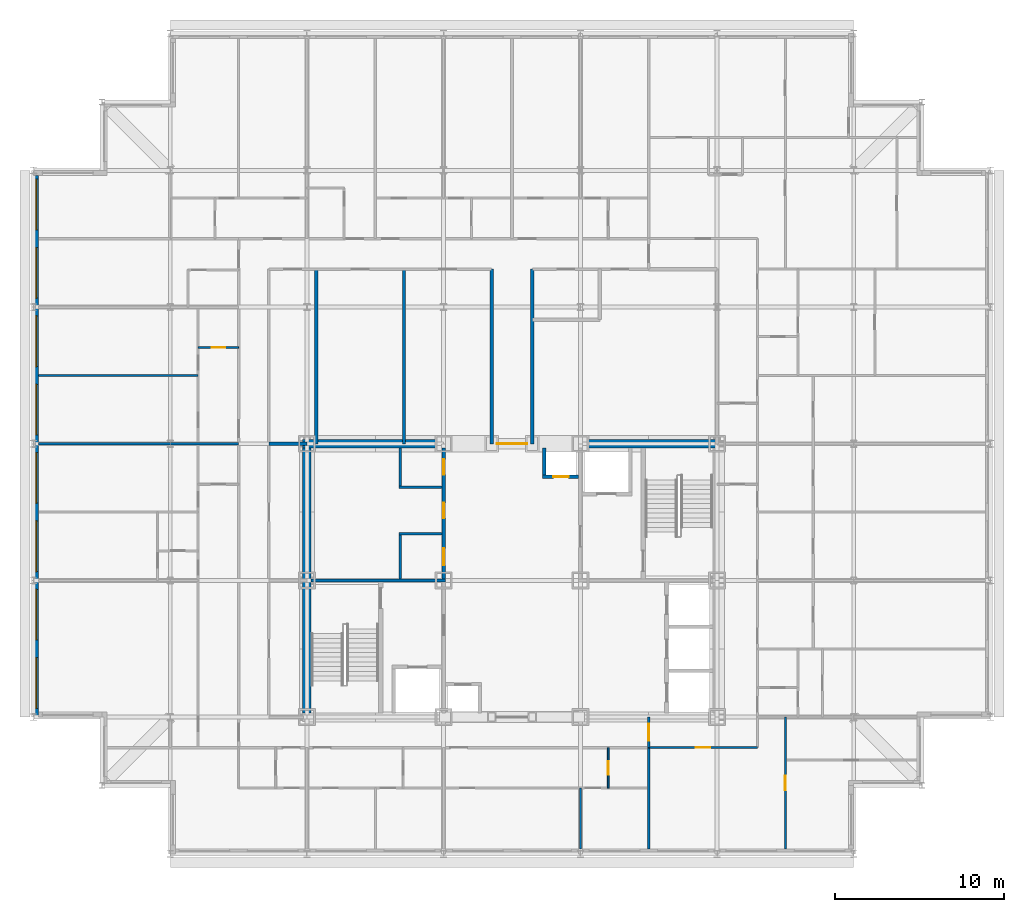
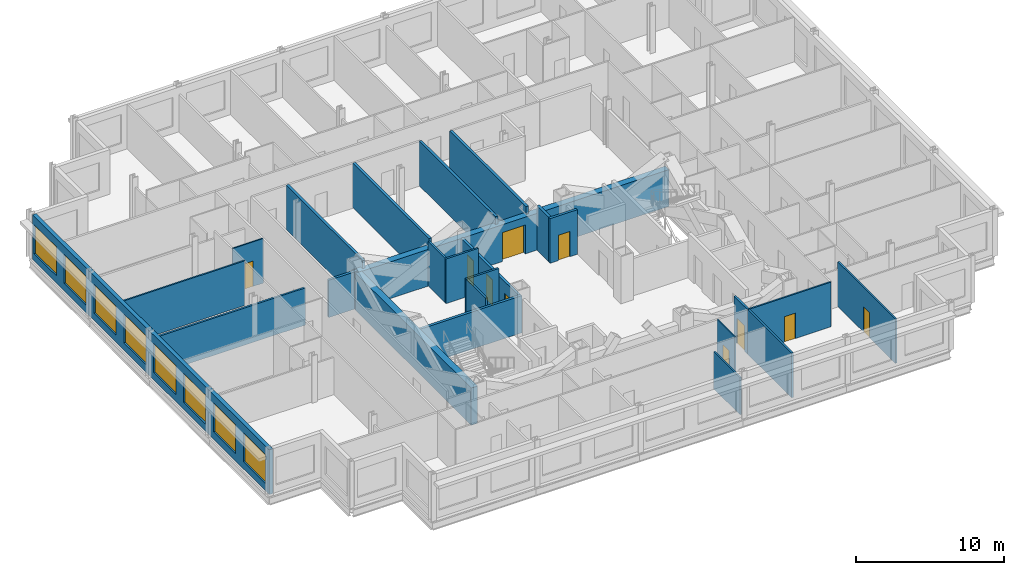
# One storey, part 9 of 15: 25 walls, 10 doors, 8 windows, 18 openings.
"""IFC4 building model written with IfcOpenShell, lengths in metres."""

from ifc_helpers import new_model, si_unit, direction, frame, frame_2d, origin, place, context, subcontext, project, spatial, rectangle, extrude, material, layer, layer_set, type_object, element, fill, save


model = new_model("IFC4")

# Units and contexts
model_context = context("Model", 3, precision=1e-05, world=origin(), true_north=direction((0.0, 1.0)))
body_context = subcontext(model_context, "Body", "Model", "MODEL_VIEW")
ifc_project = project(units=[si_unit("LENGTHUNIT", "METRE"), si_unit("AREAUNIT", "SQUARE_METRE"), si_unit("VOLUMEUNIT", "CUBIC_METRE"), si_unit("PLANEANGLEUNIT", "RADIAN"), si_unit("MASSUNIT", "GRAM", prefix="KILO")], contexts=[model_context])

# Site, building, storey
site_placement = place(None, origin())
site = spatial("IfcSite", under=ifc_project, at=site_placement, CompositionType="ELEMENT")
building_placement = place(site_placement, origin())
building = spatial("IfcBuilding", under=site, at=building_placement, Name="Kopane Lantern Tower", CompositionType="ELEMENT")
storey_placement = place(building_placement, frame((0.0, 0.0, 277.5)))
storey = spatial("IfcBuildingStorey", under=building, at=storey_placement, Name="L71", CompositionType="ELEMENT", Elevation=277.5)

# Walls
ifc_material_1 = material(Name="Gypsum board on steel studs", Category="steel")
ifc_layer_1 = layer(ifc_material_1, 0.1201171875)
ifc_layer_set_1 = layer_set([ifc_layer_1], Name="APARTMENT INTERNAL WALL 120")
wall_type_1 = type_object("IfcWallType", Name="APARTMENT INTERNAL WALL 120", PredefinedType="PARTITIONING", material=ifc_layer_set_1)
wall_1_placement = place(storey_placement, frame((32.39990234375, 20.10009765625, 0.0), z_axis=(0.0, 0.0, 1.0), x_axis=(0.0, -1.0, 0.0)))
element("IfcWall", 1, at=wall_1_placement, inside=storey, type_object=wall_type_1, Name="Apartment Internal Wall 120 L71", PredefinedType="PARTITIONING", context=body_context, shape_type="SweptSolid", body=[
    extrude(rectangle(XDim=3.60009765625, YDim=0.1201171875, at=frame_2d((1.800048828125, 0.0))), origin(), (0.0, 0.0, 1.0), 3.077880859375),
])
wall_2_placement = place(storey_placement, frame((9.75, 44.550048828125, 0.0), z_axis=(0.0, 0.0, 1.0), x_axis=(-1.0, 0.0, 0.0)))
element("IfcWall", 2, at=wall_2_placement, inside=storey, type_object=wall_type_1, Name="Apartment Internal Wall 120 L71", PredefinedType="PARTITIONING", context=body_context, shape_type="SweptSolid", body=[
    extrude(rectangle(XDim=9.449951171875, YDim=0.1201171875, at=frame_2d((4.72509765625, 0.0))), origin(), (0.0, 0.0, 1.0), 3.68994140625),
])

# Wall, opening, door
wall_3_placement = place(storey_placement, frame((36.449951171875, 22.5, 0.0), z_axis=(0.0, 0.0, 1.0), x_axis=(1.0, 0.0, 0.0)))
wall_3 = element("IfcWall", 3, at=wall_3_placement, inside=storey, type_object=wall_type_1, Name="Apartment Internal Wall 120 L71", PredefinedType="PARTITIONING", context=body_context, shape_type="SweptSolid", body=[
    extrude(rectangle(XDim=6.449951171875, YDim=0.1201171875, at=frame_2d((3.22509765625, 0.0))), origin(), (0.0, 0.0, 1.0), 3.68994140625),
])
opening_1_placement = place(wall_3_placement, frame((2.800048828125, 0.0, 0.0)))
opening_1 = element("IfcOpeningElement", 4, at=opening_1_placement, cuts=wall_3, Name="Opening L71-047", PredefinedType="OPENING", context=body_context, shape_type="SweptSolid", body=[
    extrude(rectangle(XDim=0.85009765625, YDim=2.10009765625, at=frame_2d((0.425048828125, 1.050048828125))), frame((0.0, 0.070068359375, 0.0), z_axis=(0.0, -1.0, 0.0), x_axis=(1.0, 0.0, 0.0)), (0.0, 0.0, 1.0), 0.14013671875),
])
ifc_material_2 = material(Name="Timber door set", Category="wood")
door_type_1 = type_object("IfcDoorType", Name="DOOR D4 850x2100", OperationType="SINGLE_SWING_LEFT", PredefinedType="DOOR", material=ifc_material_2)
door_1_placement = place(opening_1_placement, origin())
door_1 = element("IfcDoor", 5, at=door_1_placement, inside=storey, type_object=door_type_1, Name="Door L71-047", OperationType="SINGLE_SWING_RIGHT", OverallHeight=2.10009765625, OverallWidth=0.85009765625, PredefinedType="DOOR", context=body_context, shape_type="SweptSolid", body=[
    extrude(rectangle(XDim=0.85009765625, YDim=2.10009765625, at=frame_2d((0.425048828125, 1.050048828125))), frame((0.0, 0.02490234375, 0.0), z_axis=(0.0, -1.0, 0.0), x_axis=(1.0, 0.0, 0.0)), (0.0, 0.0, 1.0), 0.050048828125),
])
fill(opening_1, door_1)

wall_4_placement = place(storey_placement, frame((44.550048828125, 16.5, 0.0), z_axis=(0.0, 0.0, 1.0), x_axis=(0.0, 1.0, 0.0)))
wall_4 = element("IfcWall", 6, at=wall_4_placement, inside=storey, type_object=wall_type_1, Name="Apartment Internal Wall 120 L71", PredefinedType="PARTITIONING", context=body_context, shape_type="SweptSolid", body=[
    extrude(rectangle(XDim=7.800048828125, YDim=0.1201171875, at=frame_2d((3.89990234375, 0.0))), origin(), (0.0, 0.0, 1.0), 3.68994140625),
])
opening_2_placement = place(wall_4_placement, frame((3.47509765625, 0.0, 0.0)))
opening_2 = element("IfcOpeningElement", 7, at=opening_2_placement, cuts=wall_4, Name="Opening L71-048", PredefinedType="OPENING", context=body_context, shape_type="SweptSolid", body=[
    extrude(rectangle(XDim=0.85009765625, YDim=2.10009765625, at=frame_2d((0.425048828125, 1.050048828125))), frame((0.0, 0.070068359375, 0.0), z_axis=(0.0, -1.0, 0.0), x_axis=(1.0, 0.0, 0.0)), (0.0, 0.0, 1.0), 0.14013671875),
])
door_2_placement = place(opening_2_placement, origin())
door_2 = element("IfcDoor", 8, at=door_2_placement, inside=storey, type_object=door_type_1, Name="Door L71-048", OperationType="SINGLE_SWING_LEFT", OverallHeight=2.10009765625, OverallWidth=0.85009765625, PredefinedType="DOOR", context=body_context, shape_type="SweptSolid", body=[
    extrude(rectangle(XDim=0.85009765625, YDim=2.10009765625, at=frame_2d((0.425048828125, 1.050048828125))), frame((0.0, 0.02490234375, 0.0), z_axis=(0.0, -1.0, 0.0), x_axis=(1.0, 0.0, 0.0)), (0.0, 0.0, 1.0), 0.050048828125),
])
fill(opening_2, door_2)

ifc_material_3 = material(Name="Moisture-resistant board on steel studs", Category="steel")
ifc_layer_2 = layer(ifc_material_3, 0.10009765625)
ifc_layer_set_2 = layer_set([ifc_layer_2], Name="BATHROOM WALL 100")
wall_type_2 = type_object("IfcWallType", Name="BATHROOM WALL 100", PredefinedType="PARTITIONING", material=ifc_layer_set_2)
wall_5_placement = place(storey_placement, frame((34.050048828125, 22.5, 0.0), z_axis=(0.0, 0.0, 1.0), x_axis=(0.0, -1.0, 0.0)))
wall_5 = element("IfcWall", 9, at=wall_5_placement, inside=storey, type_object=wall_type_2, Name="Bathroom Wall 100 L71", PredefinedType="PARTITIONING", context=body_context, shape_type="SweptSolid", body=[
    extrude(rectangle(XDim=2.39990234375, YDim=0.10009765625, at=frame_2d((1.199951171875, 0.0))), origin(), (0.0, 0.0, 1.0), 3.68994140625),
])
opening_3_placement = place(wall_5_placement, frame((0.800048828125, 0.0, 0.0)))
opening_3 = element("IfcOpeningElement", 10, at=opening_3_placement, cuts=wall_5, Name="Opening L71-012", PredefinedType="OPENING", context=body_context, shape_type="SweptSolid", body=[
    extrude(rectangle(XDim=0.800048828125, YDim=2.10009765625, at=frame_2d((0.39990234375, 1.050048828125))), frame((0.0, 0.06005859375, 0.0), z_axis=(0.0, -1.0, 0.0), x_axis=(1.0, 0.0, 0.0)), (0.0, 0.0, 1.0), 0.1201171875),
])
ifc_material_4 = material(Name="Timber door set", Category="wood")
door_type_2 = type_object("IfcDoorType", Name="DOOR D2 800x2100", OperationType="SINGLE_SWING_LEFT", PredefinedType="DOOR", material=ifc_material_4)
door_3_placement = place(opening_3_placement, origin())
door_3 = element("IfcDoor", 11, at=door_3_placement, inside=storey, type_object=door_type_2, Name="Door L71-012", OperationType="SINGLE_SWING_LEFT", OverallHeight=2.10009765625, OverallWidth=0.800048828125, PredefinedType="DOOR", context=body_context, shape_type="SweptSolid", body=[
    extrude(rectangle(XDim=0.800048828125, YDim=2.10009765625, at=frame_2d((0.39990234375, 1.050048828125))), frame((0.0, 0.02490234375, 0.0), z_axis=(0.0, -1.0, 0.0), x_axis=(1.0, 0.0, 0.0)), (0.0, 0.0, 1.0), 0.050048828125),
])
fill(opening_3, door_3)

wall_6_placement = place(storey_placement, frame((12.14990234375, 46.199951171875, 0.0), z_axis=(0.0, 0.0, 1.0), x_axis=(-1.0, 0.0, 0.0)))
wall_6 = element("IfcWall", 12, at=wall_6_placement, inside=storey, type_object=wall_type_2, Name="Bathroom Wall 100 L71", PredefinedType="PARTITIONING", context=body_context, shape_type="SweptSolid", body=[
    extrude(rectangle(XDim=2.39990234375, YDim=0.10009765625, at=frame_2d((1.199951171875, 0.0))), origin(), (0.0, 0.0, 1.0), 3.68994140625),
])
opening_4_placement = place(wall_6_placement, frame((0.800048828125, 0.0, 0.0)))
opening_4 = element("IfcOpeningElement", 13, at=opening_4_placement, cuts=wall_6, Name="Opening L71-032", PredefinedType="OPENING", context=body_context, shape_type="SweptSolid", body=[
    extrude(rectangle(XDim=0.800048828125, YDim=2.10009765625, at=frame_2d((0.39990234375, 1.050048828125))), frame((0.0, 0.06005859375, 0.0), z_axis=(0.0, -1.0, 0.0), x_axis=(1.0, 0.0, 0.0)), (0.0, 0.0, 1.0), 0.1201171875),
])
door_4_placement = place(opening_4_placement, origin())
door_4 = element("IfcDoor", 14, at=door_4_placement, inside=storey, type_object=door_type_2, Name="Door L71-032", OperationType="SINGLE_SWING_RIGHT", OverallHeight=2.10009765625, OverallWidth=0.800048828125, PredefinedType="DOOR", context=body_context, shape_type="SweptSolid", body=[
    extrude(rectangle(XDim=0.800048828125, YDim=2.10009765625, at=frame_2d((0.39990234375, 1.050048828125))), frame((0.0, 0.02490234375, 0.0), z_axis=(0.0, -1.0, 0.0), x_axis=(1.0, 0.0, 0.0)), (0.0, 0.0, 1.0), 0.050048828125),
])
fill(opening_4, door_4)

ifc_material_5 = material(Name="Gypsum shaft wall EI 120", Category="gypsum")
ifc_layer_3 = layer(ifc_material_5, 0.5)
ifc_layer_set_3 = layer_set([ifc_layer_3], Name="CORE PERIMETER WALL 500 EI 120")
wall_type_3 = type_object("IfcWallType", Name="CORE PERIMETER WALL 500 EI 120", PredefinedType="SOLIDWALL", material=ifc_layer_set_3)
wall_7_placement = place(storey_placement, frame((15.949951171875, 40.5, 0.0), z_axis=(0.0, 0.0, 1.0), x_axis=(1.0, 0.0, 0.0)))
wall_7 = element("IfcWall", 15, at=wall_7_placement, inside=storey, type_object=wall_type_3, Name="Core shaft wall L71 PN", PredefinedType="SOLIDWALL", context=body_context, shape_type="SweptSolid", body=[
    extrude(rectangle(XDim=24.550048828125, YDim=0.5, at=frame_2d((12.27490234375, 0.0))), origin(), (0.0, 0.0, 1.0), 3.0400390625),
])
opening_5_placement = place(wall_7_placement, frame((11.5, 0.0, 0.0)))
opening_5 = element("IfcOpeningElement", 16, at=opening_5_placement, cuts=wall_7, Name="Opening 71.CE-N", PredefinedType="OPENING", context=body_context, shape_type="SweptSolid", body=[
    extrude(rectangle(XDim=1.800048828125, YDim=2.39990234375, at=frame_2d((0.89990234375, 1.199951171875))), frame((0.0, 0.260009765625, 0.0), z_axis=(0.0, -1.0, 0.0), x_axis=(1.0, 0.0, 0.0)), (0.0, 0.0, 1.0), 0.52001953125),
])
ifc_material_6 = material(Name="Steel door set", Category="steel")
door_type_3 = type_object("IfcDoorType", Name="CORE ENTRY DOOR 1800x2400 FD60S", OperationType="DOUBLE_DOOR_SINGLE_SWING", PredefinedType="DOOR", material=ifc_material_6)
door_5_placement = place(opening_5_placement, origin())
door_5 = element("IfcDoor", 17, at=door_5_placement, inside=storey, type_object=door_type_3, Name="Core entry door L71 north", OperationType="DOUBLE_DOOR_SINGLE_SWING", OverallHeight=2.39990234375, OverallWidth=1.800048828125, PredefinedType="DOOR", context=body_context, shape_type="SweptSolid", body=[
    extrude(rectangle(XDim=1.800048828125, YDim=2.39990234375, at=frame_2d((0.89990234375, 1.199951171875))), frame((0.0, 0.02490234375, 0.0), z_axis=(0.0, -1.0, 0.0), x_axis=(1.0, 0.0, 0.0)), (0.0, 0.0, 1.0), 0.050048828125),
])
fill(opening_5, door_5)

# Walls
wall_8_placement = place(storey_placement, frame((16.199951171875, 24.550048828125, 0.0), z_axis=(0.0, 0.0, 1.0), x_axis=(0.0, 1.0, 0.0)))
element("IfcWall", 18, at=wall_8_placement, inside=storey, type_object=wall_type_3, Name="Core shaft wall L71 PW", PredefinedType="SOLIDWALL", context=body_context, shape_type="SweptSolid", body=[
    extrude(rectangle(XDim=15.699951171875, YDim=0.5, at=frame_2d((7.85009765625, 0.0))), origin(), (0.0, 0.0, 1.0), 3.077880859375),
])
ifc_material_7 = material(Name="Gypsum partition EI 60", Category="gypsum")
ifc_layer_4 = layer(ifc_material_7, 0.14990234375)
ifc_layer_set_4 = layer_set([ifc_layer_4], Name="CORE ROOM PARTITION 150 EI 60")
wall_type_4 = type_object("IfcWallType", Name="CORE ROOM PARTITION 150 EI 60", PredefinedType="PARTITIONING", material=ifc_layer_set_4)
for number, where, z_axis, x_axis, name in (
    (19, (21.64990234375, 35.175048828125, 0.0), (0.0, 0.0, 1.0), (1.0, 0.0, 0.0), "Core room partition L71 WW1"),
    (20, (21.64990234375, 37.925048828125, 0.0), (0.0, 0.0, 1.0), (1.0, 0.0, 0.0), "Core room partition L71 WW2"),
):
    element("IfcWall", number, at=place(storey_placement, frame(where, z_axis=z_axis, x_axis=x_axis)), inside=storey, type_object=wall_type_4, Name=name, PredefinedType="PARTITIONING", context=body_context, shape_type="SweptSolid", body=[
        extrude(rectangle(XDim=2.550048828125, YDim=0.14990234375, at=frame_2d((1.27490234375, 0.0))), origin(), (0.0, 0.0, 1.0), 3.68994140625),
    ])
wall_9_placement = place(storey_placement, frame((21.72509765625, 32.5, 0.0), z_axis=(0.0, 0.0, 1.0), x_axis=(0.0, 1.0, 0.0)))
element("IfcWall", 21, at=wall_9_placement, inside=storey, type_object=wall_type_4, Name="Core room partition L71 WWB0", PredefinedType="PARTITIONING", context=body_context, shape_type="SweptSolid", body=[
    extrude(rectangle(XDim=2.60009765625, YDim=0.14990234375, at=frame_2d((1.300048828125, 0.0))), origin(), (0.0, 0.0, 1.0), 3.68994140625),
])
wall_10_placement = place(storey_placement, frame((21.72509765625, 38.0, 0.0), z_axis=(0.0, 0.0, 1.0), x_axis=(0.0, 1.0, 0.0)))
element("IfcWall", 22, at=wall_10_placement, inside=storey, type_object=wall_type_4, Name="Core room partition L71 WWB1", PredefinedType="PARTITIONING", context=body_context, shape_type="SweptSolid", body=[
    extrude(rectangle(XDim=2.25, YDim=0.14990234375, at=frame_2d((1.125, 0.0))), origin(), (0.0, 0.0, 1.0), 3.68994140625),
])

# Wall, openings, doors
ifc_material_8 = material(Name="Gypsum partition EI 60", Category="gypsum")
ifc_layer_5 = layer(ifc_material_8, 0.199951171875)
ifc_layer_set_5 = layer_set([ifc_layer_5], Name="CORE ROOM WALL 200 EI 60")
wall_type_5 = type_object("IfcWallType", Name="CORE ROOM WALL 200 EI 60", PredefinedType="PARTITIONING", material=ifc_layer_set_5)
wall_11_placement = place(storey_placement, frame((24.300048828125, 32.5, 0.0), z_axis=(0.0, 0.0, 1.0), x_axis=(0.0, 1.0, 0.0)))
wall_11 = element("IfcWall", 23, at=wall_11_placement, inside=storey, type_object=wall_type_5, Name="Core room wall L71 XW", PredefinedType="PARTITIONING", context=body_context, shape_type="SweptSolid", body=[
    extrude(rectangle(XDim=7.75, YDim=0.199951171875, at=frame_2d((3.875, 0.0))), origin(), (0.0, 0.0, 1.0), 3.077880859375),
])
opening_6_placement = place(wall_11_placement, frame((0.800048828125, 0.0, 0.0)))
opening_6 = element("IfcOpeningElement", 24, at=opening_6_placement, cuts=wall_11, Name="Opening 71.C30", PredefinedType="OPENING", context=body_context, shape_type="SweptSolid", body=[
    extrude(rectangle(XDim=1.0, YDim=2.10009765625, at=frame_2d((0.5, 1.050048828125))), frame((0.0, 0.10986328125, 0.0), z_axis=(0.0, -1.0, 0.0), x_axis=(1.0, 0.0, 0.0)), (0.0, 0.0, 1.0), 0.219970703125),
])
opening_7_placement = place(wall_11_placement, frame((3.60009765625, 0.0, 0.0)))
opening_7 = element("IfcOpeningElement", 25, at=opening_7_placement, cuts=wall_11, Name="Opening 71.C31", PredefinedType="OPENING", context=body_context, shape_type="SweptSolid", body=[
    extrude(rectangle(XDim=0.89990234375, YDim=2.10009765625, at=frame_2d((0.449951171875, 1.050048828125))), frame((0.0, 0.10986328125, 0.0), z_axis=(0.0, -1.0, 0.0), x_axis=(1.0, 0.0, 0.0)), (0.0, 0.0, 1.0), 0.219970703125),
])
opening_8_placement = place(wall_11_placement, frame((6.175048828125, 0.0, 0.0)))
opening_8 = element("IfcOpeningElement", 26, at=opening_8_placement, cuts=wall_11, Name="Opening 71.C32", PredefinedType="OPENING", context=body_context, shape_type="SweptSolid", body=[
    extrude(rectangle(XDim=0.89990234375, YDim=2.10009765625, at=frame_2d((0.449951171875, 1.050048828125))), frame((0.0, 0.10986328125, 0.0), z_axis=(0.0, -1.0, 0.0), x_axis=(1.0, 0.0, 0.0)), (0.0, 0.0, 1.0), 0.219970703125),
])
ifc_material_9 = material(Name="Steel door set", Category="steel")
door_type_4 = type_object("IfcDoorType", Name="CORE ROOM DOOR 1000x2100 FD30S", OperationType="SINGLE_SWING_RIGHT", PredefinedType="DOOR", material=ifc_material_9)
door_6_placement = place(opening_6_placement, origin())
door_6 = element("IfcDoor", 27, at=door_6_placement, inside=storey, type_object=door_type_4, Name="Door Concierge pantry L71", OperationType="SINGLE_SWING_LEFT", OverallHeight=2.10009765625, OverallWidth=1.0, PredefinedType="DOOR", context=body_context, shape_type="SweptSolid", body=[
    extrude(rectangle(XDim=1.0, YDim=2.10009765625, at=frame_2d((0.5, 1.050048828125))), frame((0.0, 0.02490234375, 0.0), z_axis=(0.0, -1.0, 0.0), x_axis=(1.0, 0.0, 0.0)), (0.0, 0.0, 1.0), 0.050048828125),
])
fill(opening_6, door_6)
ifc_material_10 = material(Name="Steel door set", Category="steel")
door_type_5 = type_object("IfcDoorType", Name="CORE ROOM DOOR 900x2100 FD60", OperationType="SINGLE_SWING_LEFT", PredefinedType="DOOR", material=ifc_material_10)
door_7_placement = place(opening_7_placement, origin())
door_7 = element("IfcDoor", 28, at=door_7_placement, inside=storey, type_object=door_type_5, Name="Door Residents storage L71", OperationType="SINGLE_SWING_RIGHT", OverallHeight=2.10009765625, OverallWidth=0.89990234375, PredefinedType="DOOR", context=body_context, shape_type="SweptSolid", body=[
    extrude(rectangle(XDim=0.89990234375, YDim=2.10009765625, at=frame_2d((0.449951171875, 1.050048828125))), frame((0.0, 0.02490234375, 0.0), z_axis=(0.0, -1.0, 0.0), x_axis=(1.0, 0.0, 0.0)), (0.0, 0.0, 1.0), 0.050048828125),
])
fill(opening_7, door_7)
door_8_placement = place(opening_8_placement, origin())
door_8 = element("IfcDoor", 29, at=door_8_placement, inside=storey, type_object=door_type_5, Name="Door Cleaner store L71", OperationType="SINGLE_SWING_LEFT", OverallHeight=2.10009765625, OverallWidth=0.89990234375, PredefinedType="DOOR", context=body_context, shape_type="SweptSolid", body=[
    extrude(rectangle(XDim=0.89990234375, YDim=2.10009765625, at=frame_2d((0.449951171875, 1.050048828125))), frame((0.0, 0.02490234375, 0.0), z_axis=(0.0, -1.0, 0.0), x_axis=(1.0, 0.0, 0.0)), (0.0, 0.0, 1.0), 0.050048828125),
])
fill(opening_8, door_8)

# Wall, opening, door
ifc_material_11 = material(Name="Gypsum board on steel studs", Category="steel")
ifc_layer_6 = layer(ifc_material_11, 0.14990234375)
ifc_layer_set_6 = layer_set([ifc_layer_6], Name="CORRIDOR WALL 150 EI 60")
wall_type_6 = type_object("IfcWallType", Name="CORRIDOR WALL 150 EI 60", PredefinedType="PARTITIONING", material=ifc_layer_set_6)
wall_12_placement = place(storey_placement, frame((36.449951171875, 22.5, 0.0), z_axis=(0.0, 0.0, 1.0), x_axis=(0.0, 1.0, 0.0)))
wall_12 = element("IfcWall", 30, at=wall_12_placement, inside=storey, type_object=wall_type_6, Name="Corridor Wall 150 Ei 60 L71", PredefinedType="PARTITIONING", context=body_context, shape_type="SweptSolid", body=[
    extrude(rectangle(XDim=1.800048828125, YDim=0.14990234375, at=frame_2d((0.89990234375, 0.0))), origin(), (0.0, 0.0, 1.0), 3.68994140625),
])
opening_9_placement = place(wall_12_placement, frame((0.39990234375, 0.0, 0.0)))
opening_9 = element("IfcOpeningElement", 31, at=opening_9_placement, cuts=wall_12, Name="Opening L71-045", PredefinedType="OPENING", context=body_context, shape_type="SweptSolid", body=[
    extrude(rectangle(XDim=1.0, YDim=2.10009765625, at=frame_2d((0.5, 1.050048828125))), frame((0.0, 0.0849609375, 0.0), z_axis=(0.0, -1.0, 0.0), x_axis=(1.0, 0.0, 0.0)), (0.0, 0.0, 1.0), 0.169921875),
])
ifc_material_12 = material(Name="Steel door set", Category="steel")
door_type_6 = type_object("IfcDoorType", Name="DOOR D3 1000x2100 FD30S", OperationType="SINGLE_SWING_LEFT", PredefinedType="DOOR", material=ifc_material_12)
door_9_placement = place(opening_9_placement, origin())
door_9 = element("IfcDoor", 32, at=door_9_placement, inside=storey, type_object=door_type_6, Name="Door L71-045", OperationType="SINGLE_SWING_RIGHT", OverallHeight=2.10009765625, OverallWidth=1.0, PredefinedType="DOOR", context=body_context, shape_type="SweptSolid", body=[
    extrude(rectangle(XDim=1.0, YDim=2.10009765625, at=frame_2d((0.5, 1.050048828125))), frame((0.0, 0.02490234375, 0.0), z_axis=(0.0, -1.0, 0.0), x_axis=(1.0, 0.0, 0.0)), (0.0, 0.0, 1.0), 0.050048828125),
])
fill(opening_9, door_9)

# Walls
ifc_material_13 = material(Name="Gypsum board on steel studs", Category="steel")
ifc_layer_7 = layer(ifc_material_13, 0.14990234375)
ifc_layer_set_7 = layer_set([ifc_layer_7], Name="DEMISING WALL 150 EI 60")
wall_type_7 = type_object("IfcWallType", Name="DEMISING WALL 150 EI 60", PredefinedType="PARTITIONING", material=ifc_layer_set_7)
wall_13_placement = place(storey_placement, frame((12.14990234375, 40.5, 0.0), z_axis=(0.0, 0.0, 1.0), x_axis=(-1.0, 0.0, 0.0)))
element("IfcWall", 33, at=wall_13_placement, inside=storey, type_object=wall_type_7, Name="Demising Wall 150 Ei 60 L71", PredefinedType="PARTITIONING", context=body_context, shape_type="SweptSolid", body=[
    extrude(rectangle(XDim=11.849853515625, YDim=0.14990234375, at=frame_2d((5.9248046875, 0.0))), origin(), (0.0, 0.0, 1.0), 3.077880859375),
])
wall_14_placement = place(storey_placement, frame((36.449951171875, 16.5, 0.0), z_axis=(0.0, 0.0, 1.0), x_axis=(0.0, 1.0, 0.0)))
element("IfcWall", 34, at=wall_14_placement, inside=storey, type_object=wall_type_7, Name="Demising Wall 150 Ei 60 L71", PredefinedType="PARTITIONING", context=body_context, shape_type="SweptSolid", body=[
    extrude(rectangle(XDim=6.0, YDim=0.14990234375, at=frame_2d((3.0, 0.0))), origin(), (0.0, 0.0, 1.0), 3.68994140625),
])

# Wall, openings, windows
ifc_material_14 = material(Name="Terracotta rainscreen on light steel framing", Category="masonry")
ifc_layer_8 = layer(ifc_material_14, 0.300048828125)
ifc_layer_set_8 = layer_set([ifc_layer_8], Name="EXTERNAL WALL EW1 300 TERRACOTTA")
wall_type_8 = type_object("IfcWallType", Name="EXTERNAL WALL EW1 300 TERRACOTTA", PredefinedType="SOLIDWALL", material=ifc_layer_set_8)
wall_15_placement = place(storey_placement, frame((0.14990234375, 56.39990234375, 0.0), z_axis=(0.0, 0.0, 1.0), x_axis=(0.0, -1.0, 0.0)))
wall_15 = element("IfcWall", 35, at=wall_15_placement, inside=storey, type_object=wall_type_8, Name="External wall W L71", PredefinedType="SOLIDWALL", context=body_context, shape_type="SweptSolid", body=[
    extrude(rectangle(XDim=32.099853515625, YDim=0.300048828125, at=frame_2d((16.0498046875, 0.0))), origin(), (0.0, 0.0, 1.0), 3.68994140625),
])
opening_10_placement = place(wall_15_placement, frame((0.22509765625, 0.0, 0.60009765625)))
opening_10 = element("IfcOpeningElement", 36, at=opening_10_placement, cuts=wall_15, Name="Opening WR300240", PredefinedType="OPENING", context=body_context, shape_type="SweptSolid", body=[
    extrude(rectangle(XDim=3.0, YDim=2.39990234375, at=frame_2d((1.5, 1.199951171875))), frame((0.0, 0.159912109375, 0.0), z_axis=(0.0, -1.0, 0.0), x_axis=(1.0, 0.0, 0.0)), (0.0, 0.0, 1.0), 0.320068359375),
])
opening_11_placement = place(wall_15_placement, frame((4.27490234375, 0.0, 0.60009765625)))
opening_11 = element("IfcOpeningElement", 37, at=opening_11_placement, cuts=wall_15, Name="Opening WR300240", PredefinedType="OPENING", context=body_context, shape_type="SweptSolid", body=[
    extrude(rectangle(XDim=3.0, YDim=2.39990234375, at=frame_2d((1.5, 1.199951171875))), frame((0.0, 0.159912109375, 0.0), z_axis=(0.0, -1.0, 0.0), x_axis=(1.0, 0.0, 0.0)), (0.0, 0.0, 1.0), 0.320068359375),
])
opening_12_placement = place(wall_15_placement, frame((8.324951171875, 0.0, 0.60009765625)))
opening_12 = element("IfcOpeningElement", 38, at=opening_12_placement, cuts=wall_15, Name="Opening WR300240", PredefinedType="OPENING", context=body_context, shape_type="SweptSolid", body=[
    extrude(rectangle(XDim=3.0, YDim=2.39990234375, at=frame_2d((1.5, 1.199951171875))), frame((0.0, 0.159912109375, 0.0), z_axis=(0.0, -1.0, 0.0), x_axis=(1.0, 0.0, 0.0)), (0.0, 0.0, 1.0), 0.320068359375),
])
opening_13_placement = place(wall_15_placement, frame((12.375, 0.0, 0.60009765625)))
opening_13 = element("IfcOpeningElement", 39, at=opening_13_placement, cuts=wall_15, Name="Opening WR300240", PredefinedType="OPENING", context=body_context, shape_type="SweptSolid", body=[
    extrude(rectangle(XDim=3.0, YDim=2.39990234375, at=frame_2d((1.5, 1.199951171875))), frame((0.0, 0.159912109375, 0.0), z_axis=(0.0, -1.0, 0.0), x_axis=(1.0, 0.0, 0.0)), (0.0, 0.0, 1.0), 0.320068359375),
])
opening_14_placement = place(wall_15_placement, frame((16.425048828125, 0.0, 0.60009765625)))
opening_14 = element("IfcOpeningElement", 40, at=opening_14_placement, cuts=wall_15, Name="Opening WR300240", PredefinedType="OPENING", context=body_context, shape_type="SweptSolid", body=[
    extrude(rectangle(XDim=3.0, YDim=2.39990234375, at=frame_2d((1.5, 1.199951171875))), frame((0.0, 0.159912109375, 0.0), z_axis=(0.0, -1.0, 0.0), x_axis=(1.0, 0.0, 0.0)), (0.0, 0.0, 1.0), 0.320068359375),
])
opening_15_placement = place(wall_15_placement, frame((20.47509765625, 0.0, 0.60009765625)))
opening_15 = element("IfcOpeningElement", 41, at=opening_15_placement, cuts=wall_15, Name="Opening WR300240", PredefinedType="OPENING", context=body_context, shape_type="SweptSolid", body=[
    extrude(rectangle(XDim=3.0, YDim=2.39990234375, at=frame_2d((1.5, 1.199951171875))), frame((0.0, 0.159912109375, 0.0), z_axis=(0.0, -1.0, 0.0), x_axis=(1.0, 0.0, 0.0)), (0.0, 0.0, 1.0), 0.320068359375),
])
opening_16_placement = place(wall_15_placement, frame((24.52490234375, 0.0, 0.60009765625)))
opening_16 = element("IfcOpeningElement", 42, at=opening_16_placement, cuts=wall_15, Name="Opening WR300240", PredefinedType="OPENING", context=body_context, shape_type="SweptSolid", body=[
    extrude(rectangle(XDim=3.0, YDim=2.39990234375, at=frame_2d((1.5, 1.199951171875))), frame((0.0, 0.159912109375, 0.0), z_axis=(0.0, -1.0, 0.0), x_axis=(1.0, 0.0, 0.0)), (0.0, 0.0, 1.0), 0.320068359375),
])
opening_17_placement = place(wall_15_placement, frame((28.574951171875, 0.0, 0.60009765625)))
opening_17 = element("IfcOpeningElement", 43, at=opening_17_placement, cuts=wall_15, Name="Opening WR300240", PredefinedType="OPENING", context=body_context, shape_type="SweptSolid", body=[
    extrude(rectangle(XDim=3.0, YDim=2.39990234375, at=frame_2d((1.5, 1.199951171875))), frame((0.0, 0.159912109375, 0.0), z_axis=(0.0, -1.0, 0.0), x_axis=(1.0, 0.0, 0.0)), (0.0, 0.0, 1.0), 0.320068359375),
])
ifc_material_15 = material(Name="Aluminium and clear glass", Category="aluminium")
window_type = type_object("IfcWindowType", Name="RIBBON WINDOW WR300240 3000x2400", PartitioningType="SINGLE_PANEL", PredefinedType="WINDOW", material=ifc_material_15)
window_1_placement = place(opening_10_placement, origin())
window_1 = element("IfcWindow", 44, at=window_1_placement, inside=storey, type_object=window_type, Name="Window W L71", OverallHeight=2.39990234375, OverallWidth=3.0, PartitioningType="SINGLE_PANEL", PredefinedType="WINDOW", context=body_context, shape_type="SweptSolid", body=[
    extrude(rectangle(XDim=3.0, YDim=2.39990234375, at=frame_2d((1.5, 1.199951171875))), frame((0.0, 0.030029296875, 0.0), z_axis=(0.0, -1.0, 0.0), x_axis=(1.0, 0.0, 0.0)), (0.0, 0.0, 1.0), 0.06005859375),
])
fill(opening_10, window_1)
window_2_placement = place(opening_11_placement, origin())
window_2 = element("IfcWindow", 45, at=window_2_placement, inside=storey, type_object=window_type, Name="Window W L71", OverallHeight=2.39990234375, OverallWidth=3.0, PartitioningType="SINGLE_PANEL", PredefinedType="WINDOW", context=body_context, shape_type="SweptSolid", body=[
    extrude(rectangle(XDim=3.0, YDim=2.39990234375, at=frame_2d((1.5, 1.199951171875))), frame((0.0, 0.030029296875, 0.0), z_axis=(0.0, -1.0, 0.0), x_axis=(1.0, 0.0, 0.0)), (0.0, 0.0, 1.0), 0.06005859375),
])
fill(opening_11, window_2)
window_3_placement = place(opening_12_placement, origin())
window_3 = element("IfcWindow", 46, at=window_3_placement, inside=storey, type_object=window_type, Name="Window W L71", OverallHeight=2.39990234375, OverallWidth=3.0, PartitioningType="SINGLE_PANEL", PredefinedType="WINDOW", context=body_context, shape_type="SweptSolid", body=[
    extrude(rectangle(XDim=3.0, YDim=2.39990234375, at=frame_2d((1.5, 1.199951171875))), frame((0.0, 0.030029296875, 0.0), z_axis=(0.0, -1.0, 0.0), x_axis=(1.0, 0.0, 0.0)), (0.0, 0.0, 1.0), 0.06005859375),
])
fill(opening_12, window_3)
window_4_placement = place(opening_13_placement, origin())
window_4 = element("IfcWindow", 47, at=window_4_placement, inside=storey, type_object=window_type, Name="Window W L71", OverallHeight=2.39990234375, OverallWidth=3.0, PartitioningType="SINGLE_PANEL", PredefinedType="WINDOW", context=body_context, shape_type="SweptSolid", body=[
    extrude(rectangle(XDim=3.0, YDim=2.39990234375, at=frame_2d((1.5, 1.199951171875))), frame((0.0, 0.030029296875, 0.0), z_axis=(0.0, -1.0, 0.0), x_axis=(1.0, 0.0, 0.0)), (0.0, 0.0, 1.0), 0.06005859375),
])
fill(opening_13, window_4)
window_5_placement = place(opening_14_placement, origin())
window_5 = element("IfcWindow", 48, at=window_5_placement, inside=storey, type_object=window_type, Name="Window W L71", OverallHeight=2.39990234375, OverallWidth=3.0, PartitioningType="SINGLE_PANEL", PredefinedType="WINDOW", context=body_context, shape_type="SweptSolid", body=[
    extrude(rectangle(XDim=3.0, YDim=2.39990234375, at=frame_2d((1.5, 1.199951171875))), frame((0.0, 0.030029296875, 0.0), z_axis=(0.0, -1.0, 0.0), x_axis=(1.0, 0.0, 0.0)), (0.0, 0.0, 1.0), 0.06005859375),
])
fill(opening_14, window_5)
window_6_placement = place(opening_15_placement, origin())
window_6 = element("IfcWindow", 49, at=window_6_placement, inside=storey, type_object=window_type, Name="Window W L71", OverallHeight=2.39990234375, OverallWidth=3.0, PartitioningType="SINGLE_PANEL", PredefinedType="WINDOW", context=body_context, shape_type="SweptSolid", body=[
    extrude(rectangle(XDim=3.0, YDim=2.39990234375, at=frame_2d((1.5, 1.199951171875))), frame((0.0, 0.030029296875, 0.0), z_axis=(0.0, -1.0, 0.0), x_axis=(1.0, 0.0, 0.0)), (0.0, 0.0, 1.0), 0.06005859375),
])
fill(opening_15, window_6)
window_7_placement = place(opening_16_placement, origin())
window_7 = element("IfcWindow", 50, at=window_7_placement, inside=storey, type_object=window_type, Name="Window W L71", OverallHeight=2.39990234375, OverallWidth=3.0, PartitioningType="SINGLE_PANEL", PredefinedType="WINDOW", context=body_context, shape_type="SweptSolid", body=[
    extrude(rectangle(XDim=3.0, YDim=2.39990234375, at=frame_2d((1.5, 1.199951171875))), frame((0.0, 0.030029296875, 0.0), z_axis=(0.0, -1.0, 0.0), x_axis=(1.0, 0.0, 0.0)), (0.0, 0.0, 1.0), 0.06005859375),
])
fill(opening_16, window_7)
window_8_placement = place(opening_17_placement, origin())
window_8 = element("IfcWindow", 51, at=window_8_placement, inside=storey, type_object=window_type, Name="Window W L71", OverallHeight=2.39990234375, OverallWidth=3.0, PartitioningType="SINGLE_PANEL", PredefinedType="WINDOW", context=body_context, shape_type="SweptSolid", body=[
    extrude(rectangle(XDim=3.0, YDim=2.39990234375, at=frame_2d((1.5, 1.199951171875))), frame((0.0, 0.030029296875, 0.0), z_axis=(0.0, -1.0, 0.0), x_axis=(1.0, 0.0, 0.0)), (0.0, 0.0, 1.0), 0.06005859375),
])
fill(opening_17, window_8)

# Walls
ifc_material_16 = material(Name="Concrete masonry", Category="masonry")
ifc_layer_9 = layer(ifc_material_16, 0.199951171875)
ifc_layer_set_9 = layer_set([ifc_layer_9], Name="PLANT ROOM WALL 200 EI 120")
wall_type_9 = type_object("IfcWallType", Name="PLANT ROOM WALL 200 EI 120", PredefinedType="SOLIDWALL", material=ifc_layer_set_9)
for number, where, z_axis, x_axis, name in (
    (52, (16.751953125, 50.85009765625, 0.0), (0.0, 0.0, 1.0), (0.0, -1.0, 0.0), "Plant Room Wall 200 Ei 120 L71"),
    (53, (21.950927734375, 50.85009765625, 0.0), (0.0, 0.0, 1.0), (0.0, -1.0, 0.0), "Plant Room Wall 200 Ei 120 L71"),
    (54, (27.14990234375, 40.5, 0.0), (0.0, 0.0, 1.0), (0.0, 1.0, 0.0), "Plant Room Wall 200 Ei 120 L71"),
    (55, (29.550048828125, 40.5, 0.0), (0.0, 0.0, 1.0), (0.0, 1.0, 0.0), "Plant Room Wall 200 Ei 120 L71"),
):
    element("IfcWall", number, at=place(storey_placement, frame(where, z_axis=z_axis, x_axis=x_axis)), inside=storey, type_object=wall_type_9, Name=name, PredefinedType="SOLIDWALL", context=body_context, shape_type="SweptSolid", body=[
        extrude(rectangle(XDim=10.35009765625, YDim=0.199951171875, at=frame_2d((5.175048828125, 0.0))), origin(), (0.0, 0.0, 1.0), 3.68994140625),
    ])
wall_16_placement = place(storey_placement, frame((13.949951171875, 40.5, 0.0), z_axis=(0.0, 0.0, 1.0), x_axis=(1.0, 0.0, 0.0)))
element("IfcWall", 56, at=wall_16_placement, inside=storey, type_object=wall_type_9, Name="Plant Room Wall 200 Ei 120 L71", PredefinedType="SOLIDWALL", context=body_context, shape_type="SweptSolid", body=[
    extrude(rectangle(XDim=2.25, YDim=0.199951171875, at=frame_2d((1.125, 0.0))), origin(), (0.0, 0.0, 1.0), 3.077880859375),
])
ifc_material_17 = material(Name="Gypsum shaft wall EI 120", Category="gypsum")
ifc_layer_10 = layer(ifc_material_17, 0.199951171875)
ifc_layer_set_10 = layer_set([ifc_layer_10], Name="SHAFT WALL 200 EI 120")
wall_type_10 = type_object("IfcWallType", Name="SHAFT WALL 200 EI 120", PredefinedType="SOLIDWALL", material=ifc_layer_set_10)
wall_17_placement = place(storey_placement, frame((16.449951171875, 32.39990234375, 0.0), z_axis=(0.0, 0.0, 1.0), x_axis=(1.0, 0.0, 0.0)))
element("IfcWall", 57, at=wall_17_placement, inside=storey, type_object=wall_type_10, Name="Core shaft wall L71 Y324W", PredefinedType="SOLIDWALL", context=body_context, shape_type="SweptSolid", body=[
    extrude(rectangle(XDim=7.949951171875, YDim=0.199951171875, at=frame_2d((3.97509765625, 0.0))), origin(), (0.0, 0.0, 1.0), 3.077880859375),
])
wall_18_placement = place(storey_placement, frame((30.25, 38.64990234375, 0.0), z_axis=(0.0, 0.0, 1.0), x_axis=(0.0, 1.0, 0.0)))
element("IfcWall", 58, at=wall_18_placement, inside=storey, type_object=wall_type_10, Name="Core shaft wall L71 XRS2", PredefinedType="SOLIDWALL", context=body_context, shape_type="SweptSolid", body=[
    extrude(rectangle(XDim=1.60009765625, YDim=0.199951171875, at=frame_2d((0.800048828125, 0.0))), origin(), (0.0, 0.0, 1.0), 3.68994140625),
])

# Wall, opening, door
wall_19_placement = place(storey_placement, frame((30.14990234375, 38.550048828125, 0.0), z_axis=(0.0, 0.0, 1.0), x_axis=(1.0, 0.0, 0.0)))
wall_19 = element("IfcWall", 59, at=wall_19_placement, inside=storey, type_object=wall_type_10, Name="Core shaft wall L71 YRS2", PredefinedType="SOLIDWALL", context=body_context, shape_type="SweptSolid", body=[
    extrude(rectangle(XDim=2.150146484375, YDim=0.199951171875, at=frame_2d((1.0751953125, 0.0))), origin(), (0.0, 0.0, 1.0), 3.68994140625),
])
opening_18_placement = place(wall_19_placement, frame((0.64990234375, 0.0, 0.0)))
opening_18 = element("IfcOpeningElement", 60, at=opening_18_placement, cuts=wall_19, Name="Opening 71.RS2", PredefinedType="OPENING", context=body_context, shape_type="SweptSolid", body=[
    extrude(rectangle(XDim=0.89990234375, YDim=2.10009765625, at=frame_2d((0.449951171875, 1.050048828125))), frame((0.0, 0.10986328125, 0.0), z_axis=(0.0, -1.0, 0.0), x_axis=(1.0, 0.0, 0.0)), (0.0, 0.0, 1.0), 0.219970703125),
])
ifc_material_18 = material(Name="Steel door set", Category="steel")
door_type_7 = type_object("IfcDoorType", Name="RISER ACCESS DOOR 900x2100 FD60", OperationType="SINGLE_SWING_LEFT", PredefinedType="DOOR", material=ifc_material_18)
door_10_placement = place(opening_18_placement, origin())
door_10 = element("IfcDoor", 61, at=door_10_placement, inside=storey, type_object=door_type_7, Name="Riser access door RS2 L71", OperationType="SINGLE_SWING_LEFT", OverallHeight=2.10009765625, OverallWidth=0.89990234375, PredefinedType="DOOR", context=body_context, shape_type="SweptSolid", body=[
    extrude(rectangle(XDim=0.89990234375, YDim=2.10009765625, at=frame_2d((0.449951171875, 1.050048828125))), frame((0.0, 0.02490234375, 0.0), z_axis=(0.0, -1.0, 0.0), x_axis=(1.0, 0.0, 0.0)), (0.0, 0.0, 1.0), 0.050048828125),
])
fill(opening_18, door_10)

save(model, "model.ifc")
